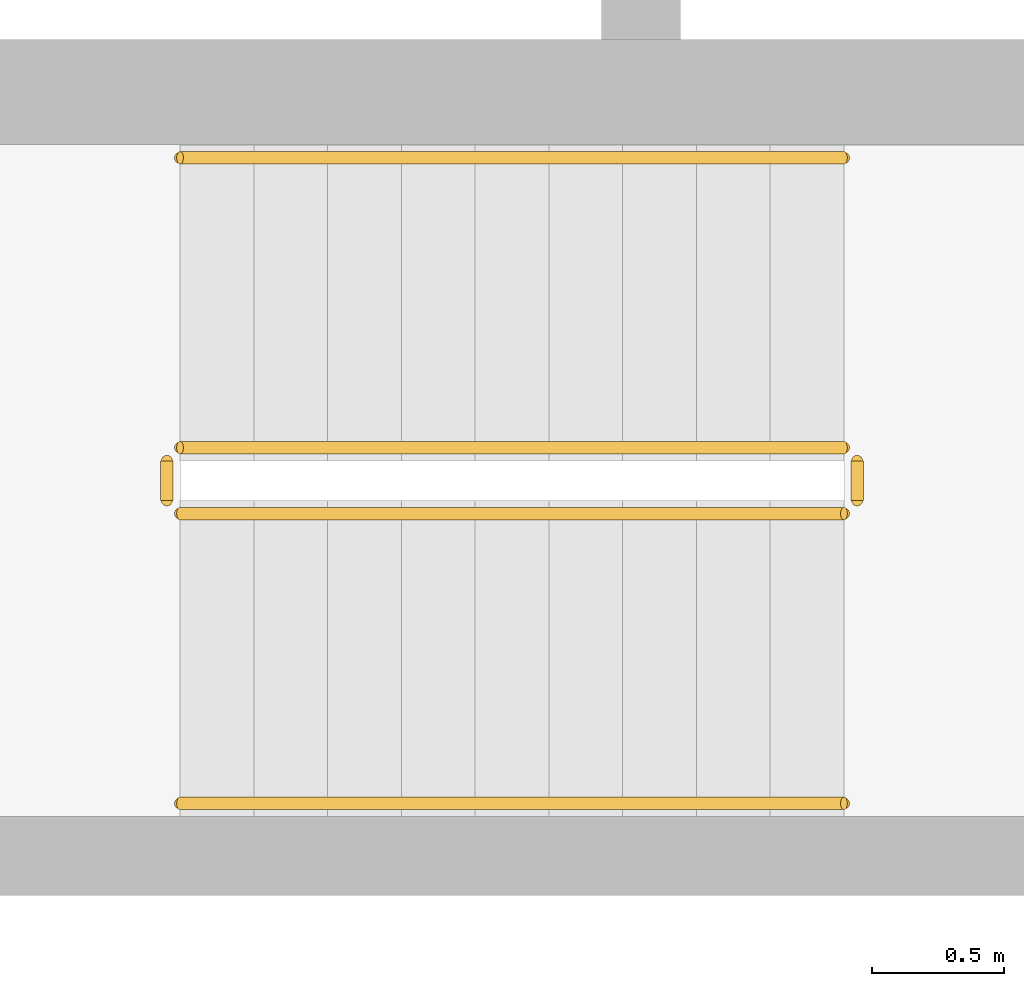
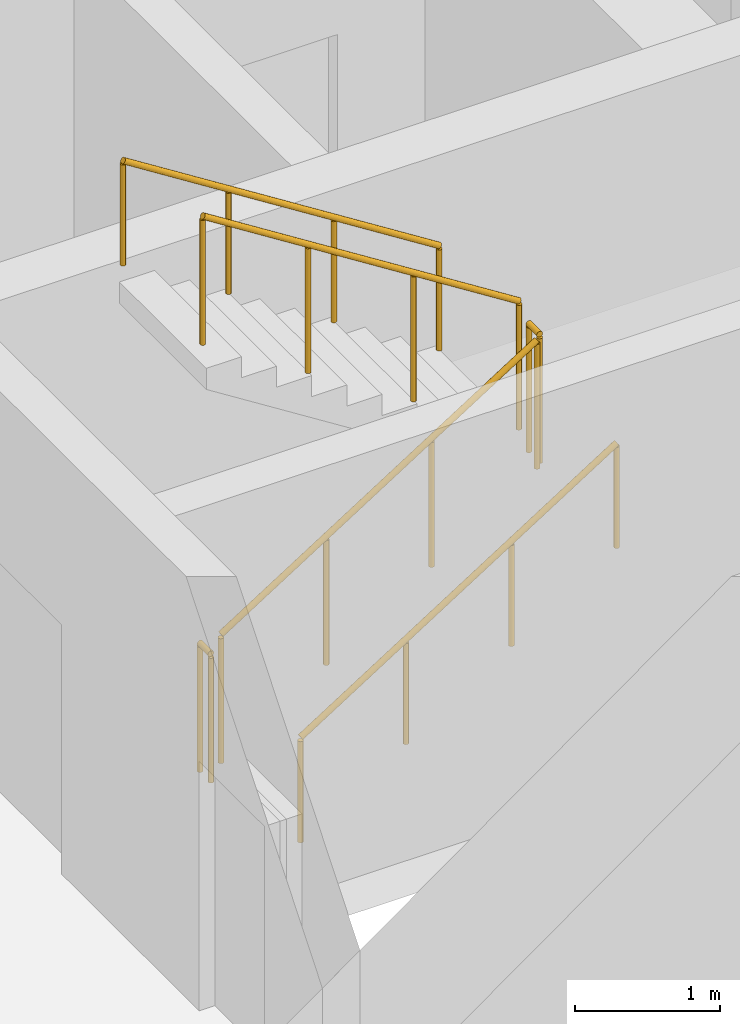
# One storey, part 14 of 16: 6 railings.
"""IFC4 building model written with IfcOpenShell, lengths in metres."""

from ifc_helpers import new_model, si_unit, direction, frame, origin, origin_2d, place, context, subcontext, project, spatial, circle, extrude, material, type_object, element, save


model = new_model("IFC4")

# Units and contexts
model_context = context("Model", 3, precision=1e-05, world=origin(), true_north=direction((0.0, 1.0)))
body_context = subcontext(model_context, "Body", "Model", "MODEL_VIEW")
ifc_project = project(units=[si_unit("LENGTHUNIT", "METRE"), si_unit("AREAUNIT", "SQUARE_METRE"), si_unit("VOLUMEUNIT", "CUBIC_METRE"), si_unit("PLANEANGLEUNIT", "RADIAN"), si_unit("MASSUNIT", "GRAM", prefix="KILO")], contexts=[model_context])

# Site, building, storey
site_placement = place(None, origin())
site = spatial("IfcSite", under=ifc_project, at=site_placement, CompositionType="ELEMENT")
building_placement = place(site_placement, origin())
building = spatial("IfcBuilding", under=site, at=building_placement, Name="Ostrand Prow Hotel Tower", CompositionType="ELEMENT")
storey_placement = place(building_placement, frame((0.0, 0.0, 252.75)))
storey = spatial("IfcBuildingStorey", under=building, at=storey_placement, Name="L64", CompositionType="ELEMENT", Elevation=252.75)

# Railings
ifc_material_1 = material(Name="Painted steel", Category="steel")
railing_type_1 = type_object("IfcRailingType", Name="Stair guard 1100", PredefinedType="GUARDRAIL", material=ifc_material_1)
railing_1_placement = place(storey_placement, frame((57.199951171875, -11.75, 0.177490234375)))
element("IfcRailing", 1, at=railing_1_placement, inside=storey, type_object=railing_type_1, Name="L64 ST2C stair guard 1", PredefinedType="GUARDRAIL", context=body_context, shape_type="SweptSolid", body=[
    extrude(circle(Radius=0.02392578125, at=origin_2d()), frame((0.0, 0.0, 1.076171875), z_axis=(0.84460694969, 0.0, 0.535386869969), x_axis=(0.0, 1.0, 0.0)), (0.0, 0.0, 1.0), 2.983642578125),
    extrude(circle(Radius=0.02099609375, at=origin_2d()), origin(), (0.0, 0.0, 1.0), 1.052001953125),
    extrude(circle(Radius=0.02099609375, at=origin_2d()), frame((0.840087890625, 0.0, 0.532470703125)), (0.0, 0.0, 1.0), 1.052001953125),
    extrude(circle(Radius=0.02099609375, at=origin_2d()), frame((1.679931640625, 0.0, 1.06494140625)), (0.0, 0.0, 1.0), 1.052001953125),
    extrude(circle(Radius=0.02099609375, at=origin_2d()), frame((2.52001953125, 0.0, 1.597412109375)), (0.0, 0.0, 1.0), 1.052001953125),
])
railing_2_placement = place(storey_placement, frame((59.77001953125, -11.699951171875, 1.77490234375)))
element("IfcRailing", 2, at=railing_2_placement, inside=storey, type_object=railing_type_1, Name="L64 ST2C stair guard 2", PredefinedType="GUARDRAIL", context=body_context, shape_type="SweptSolid", body=[
    extrude(circle(Radius=0.02392578125, at=origin_2d()), frame((0.0, 0.0, 1.076171875), z_axis=(0.0, 1.0, 0.0), x_axis=(-1.0, 0.0, 0.0)), (0.0, 0.0, 1.0), 0.14990234375),
    extrude(circle(Radius=0.02099609375, at=origin_2d()), origin(), (0.0, 0.0, 1.0), 1.052001953125),
    extrude(circle(Radius=0.02099609375, at=origin_2d()), frame((0.0, 0.14990234375, 0.0)), (0.0, 0.0, 1.0), 1.052001953125),
])
railing_3_placement = place(storey_placement, frame((59.719970703125, -11.5, 1.952392578125)))
element("IfcRailing", 3, at=railing_3_placement, inside=storey, type_object=railing_type_1, Name="L64 ST2C stair guard 3", PredefinedType="GUARDRAIL", context=body_context, shape_type="SweptSolid", body=[
    extrude(circle(Radius=0.02392578125, at=origin_2d()), frame((0.0, 0.0, 1.076171875), z_axis=(-0.84456994832, 0.0, 0.535445237532), x_axis=(0.0, -1.0, 0.0)), (0.0, 0.0, 1.0), 2.98388671875),
    extrude(circle(Radius=0.02099609375, at=origin_2d()), origin(), (0.0, 0.0, 1.0), 1.052001953125),
    extrude(circle(Radius=0.02099609375, at=origin_2d()), frame((-0.840087890625, 0.0, 0.532470703125)), (0.0, 0.0, 1.0), 1.052001953125),
    extrude(circle(Radius=0.02099609375, at=origin_2d()), frame((-1.679931640625, 0.0, 1.065185546875)), (0.0, 0.0, 1.0), 1.052001953125),
    extrude(circle(Radius=0.02099609375, at=origin_2d()), frame((-2.52001953125, 0.0, 1.59765625)), (0.0, 0.0, 1.0), 1.052001953125),
])
railing_4_placement = place(storey_placement, frame((57.14990234375, -11.699951171875, 0.0)))
element("IfcRailing", 4, at=railing_4_placement, inside=storey, type_object=railing_type_1, Name="L64 ST2C stair guard 4", PredefinedType="GUARDRAIL", context=body_context, shape_type="SweptSolid", body=[
    extrude(circle(Radius=0.02392578125, at=origin_2d()), frame((0.0, 0.0, 1.076171875), z_axis=(0.0, 1.0, 0.0), x_axis=(-1.0, 0.0, 0.0)), (0.0, 0.0, 1.0), 0.14990234375),
    extrude(circle(Radius=0.02099609375, at=origin_2d()), origin(), (0.0, 0.0, 1.0), 1.052001953125),
    extrude(circle(Radius=0.02099609375, at=origin_2d()), frame((0.0, 0.14990234375, 0.0)), (0.0, 0.0, 1.0), 1.052001953125),
])
ifc_material_2 = material(Name="Stainless steel", Category="steel")
railing_type_2 = type_object("IfcRailingType", Name="Stair handrail 900", PredefinedType="HANDRAIL", material=ifc_material_2)
railing_5_placement = place(storey_placement, frame((57.199951171875, -12.85009765625, 0.177490234375)))
element("IfcRailing", 5, at=railing_5_placement, inside=storey, type_object=railing_type_2, Name="L64 ST2C stair handrail 1", PredefinedType="HANDRAIL", context=body_context, shape_type="SweptSolid", body=[
    extrude(circle(Radius=0.02392578125, at=origin_2d()), frame((0.0, 0.0, 0.8759765625), z_axis=(0.84460694969, 0.0, 0.535386869969), x_axis=(0.0, 1.0, 0.0)), (0.0, 0.0, 1.0), 2.983642578125),
    extrude(circle(Radius=0.02099609375, at=origin_2d()), origin(), (0.0, 0.0, 1.0), 0.851806640625),
    extrude(circle(Radius=0.02099609375, at=origin_2d()), frame((0.840087890625, 0.0, 0.532470703125)), (0.0, 0.0, 1.0), 0.851806640625),
    extrude(circle(Radius=0.02099609375, at=origin_2d()), frame((1.679931640625, 0.0, 1.06494140625)), (0.0, 0.0, 1.0), 0.851806640625),
    extrude(circle(Radius=0.02099609375, at=origin_2d()), frame((2.52001953125, 0.0, 1.597412109375)), (0.0, 0.0, 1.0), 0.851806640625),
])
railing_6_placement = place(storey_placement, frame((59.719970703125, -10.39990234375, 1.952392578125)))
element("IfcRailing", 6, at=railing_6_placement, inside=storey, type_object=railing_type_2, Name="L64 ST2C stair handrail 2", PredefinedType="HANDRAIL", context=body_context, shape_type="SweptSolid", body=[
    extrude(circle(Radius=0.02392578125, at=origin_2d()), frame((0.0, 0.0, 0.8759765625), z_axis=(-0.84456994832, 0.0, 0.535445237532), x_axis=(0.0, -1.0, 0.0)), (0.0, 0.0, 1.0), 2.98388671875),
    extrude(circle(Radius=0.02099609375, at=origin_2d()), origin(), (0.0, 0.0, 1.0), 0.851806640625),
    extrude(circle(Radius=0.02099609375, at=origin_2d()), frame((-0.840087890625, 0.0, 0.532470703125)), (0.0, 0.0, 1.0), 0.851806640625),
    extrude(circle(Radius=0.02099609375, at=origin_2d()), frame((-1.679931640625, 0.0, 1.065185546875)), (0.0, 0.0, 1.0), 0.851806640625),
    extrude(circle(Radius=0.02099609375, at=origin_2d()), frame((-2.52001953125, 0.0, 1.59765625)), (0.0, 0.0, 1.0), 0.851806640625),
])

save(model, "model.ifc")
